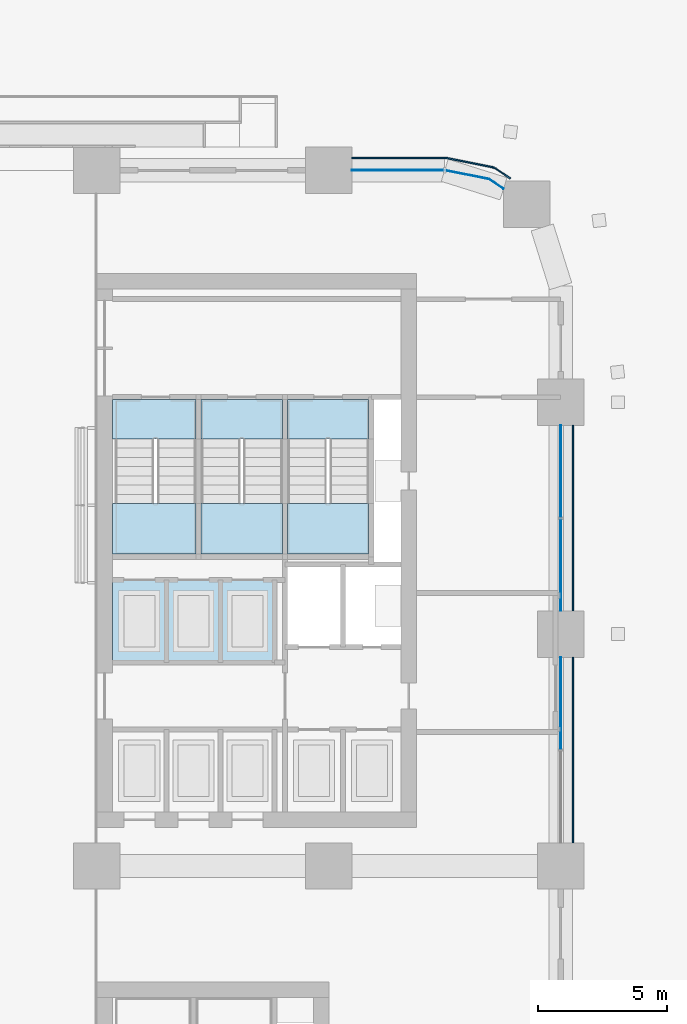
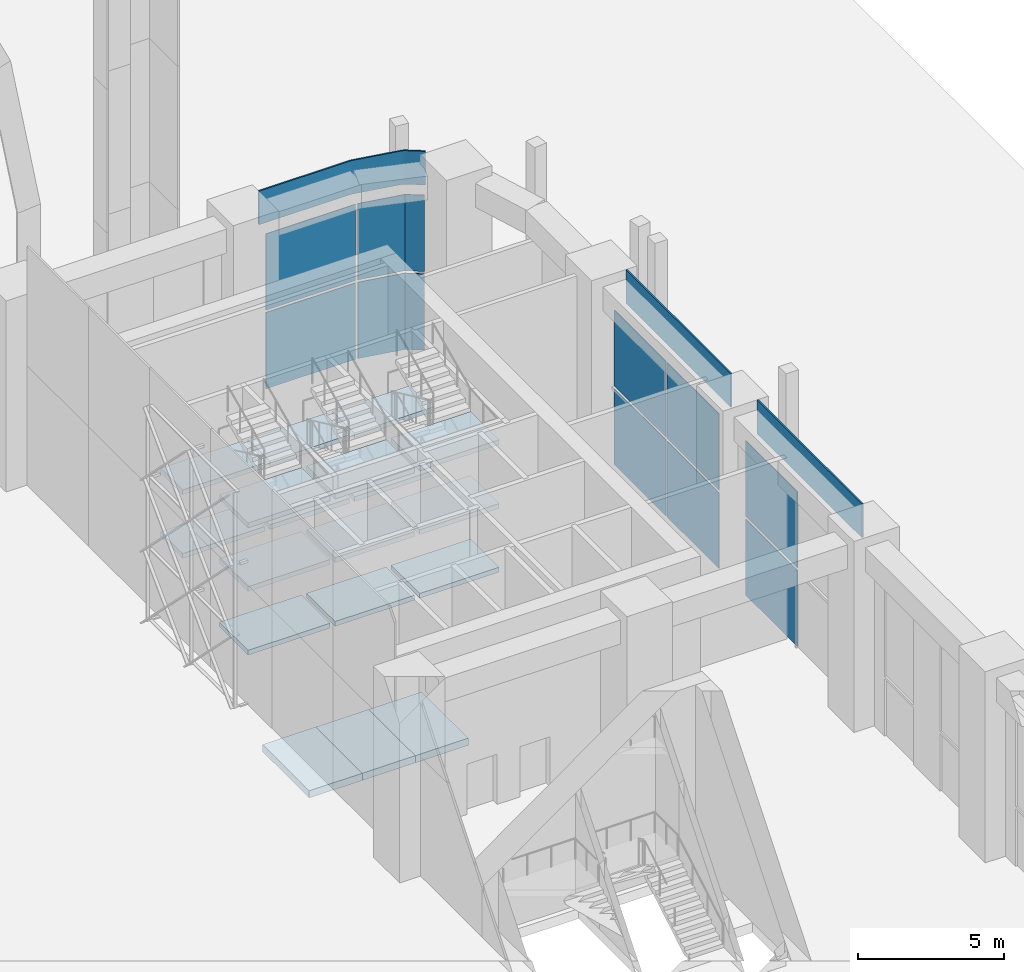
# One storey, part 26 of 64: 18 slabs, 13 plates, 6 elements without a shape of their own.
"""IFC4 building model written with IfcOpenShell, lengths in metres."""

from ifc_helpers import new_model, si_unit, direction, frame, origin, origin_2d, place, context, subcontext, project, spatial, polyline, rectangle, outline, extrude, material, layer, layer_set, type_object, element, aggregate, save


model = new_model("IFC4")

# Units and contexts
model_context = context("Model", 3, precision=1e-05, world=origin(), true_north=direction((0.0, 1.0)))
body_context = subcontext(model_context, "Body", "Model", "MODEL_VIEW")
ifc_project = project(units=[si_unit("LENGTHUNIT", "METRE"), si_unit("AREAUNIT", "SQUARE_METRE"), si_unit("VOLUMEUNIT", "CUBIC_METRE"), si_unit("PLANEANGLEUNIT", "RADIAN"), si_unit("MASSUNIT", "GRAM", prefix="KILO")], contexts=[model_context])

# Site, building, storey
site_placement = place(None, origin())
site = spatial("IfcSite", under=ifc_project, at=site_placement, CompositionType="ELEMENT")
building_placement = place(site_placement, origin())
building = spatial("IfcBuilding", under=site, at=building_placement, Name="Tessera Arch", CompositionType="ELEMENT")
storey_placement = place(building_placement, origin())
storey = spatial("IfcBuildingStorey", under=building, at=storey_placement, Name="L00", CompositionType="ELEMENT", Elevation=0.0)

# Curtain wall, plates
ifc_material_1 = material(Name="CW2 curtain wall")
curtain_wall_type_1 = type_object("IfcCurtainWallType", Name="CW2 curtain wall", PredefinedType="NOTDEFINED", material=ifc_material_1)
curtain_wall_1_placement = place(storey_placement, origin())
curtain_wall_1 = element("IfcCurtainWall", 1, at=curtain_wall_1_placement, inside=storey, type_object=curtain_wall_type_1, Name="CW2 curtain wall N54.36/0 L00", PredefinedType="NOTDEFINED")
ifc_material_2 = material(Name="Clear low-e glass", Category="glass")
ifc_layer_1 = layer(ifc_material_2, 0.028076171875)
ifc_layer_set_1 = layer_set([ifc_layer_1], Name="CW2 glass panel")
plate_type_1 = type_object("IfcPlateType", Name="CW2 glass panel", PredefinedType="CURTAIN_PANEL", material=ifc_layer_set_1)
plate_1_placement = place(storey_placement, frame((47.679931640625, 54.0, 0.0), z_axis=(0.0, 0.0, 1.0), x_axis=(-1.0, 0.0, 0.0)))
plate_1 = element("IfcPlate", 2, at=plate_1_placement, type_object=plate_type_1, Name="CW2 glass panel N54.36/0 1.1", PredefinedType="CURTAIN_PANEL", context=body_context, shape_type="SweptSolid", body=[
    extrude(rectangle(XDim=3.56005859375, YDim=0.028076171875, at=origin_2d()), origin(), (0.0, 0.0, 1.0), 3.195068359375),
])
plate_2_placement = place(storey_placement, origin())
plate_2 = element("IfcPlate", 3, at=plate_2_placement, type_object=plate_type_1, Name="CW2 curved glass panel N54.36/0 2.1", PredefinedType="CURTAIN_PANEL", context=body_context, shape_type="SweptSolid", body=[
    extrude(outline(polyline([(51.216552734375, 53.644287109375), (51.774169921875, 53.271728515625), (51.789794921875, 53.294921875), (51.2275390625, 53.670654296875), (49.5419921875, 54.005859375), (49.53662109375, 53.978515625), (51.216552734375, 53.644287109375)])), origin(), (0.0, 0.0, 1.0), 3.195068359375),
])
plate_3_placement = place(storey_placement, frame((47.679931640625, 54.0, 3.294921875), z_axis=(0.0, 0.0, 1.0), x_axis=(-1.0, 0.0, 0.0)))
plate_3 = element("IfcPlate", 4, at=plate_3_placement, type_object=plate_type_1, Name="CW2 glass panel N54.36/0 1.2", PredefinedType="CURTAIN_PANEL", context=body_context, shape_type="SweptSolid", body=[
    extrude(rectangle(XDim=3.56005859375, YDim=0.028076171875, at=origin_2d()), origin(), (0.0, 0.0, 1.0), 3.195068359375),
])
plate_4_placement = place(storey_placement, frame((0.0, 0.0, 3.294921875)))
plate_4 = element("IfcPlate", 5, at=plate_4_placement, type_object=plate_type_1, Name="CW2 curved glass panel N54.36/0 2.2", PredefinedType="CURTAIN_PANEL", context=body_context, shape_type="SweptSolid", body=[
    extrude(outline(polyline([(51.216552734375, 53.644287109375), (51.774169921875, 53.271728515625), (51.789794921875, 53.294921875), (51.2275390625, 53.670654296875), (49.5419921875, 54.005859375), (49.53662109375, 53.978515625), (51.216552734375, 53.644287109375)])), origin(), (0.0, 0.0, 1.0), 3.195068359375),
])
ifc_material_3 = material(Name="Pale anodised aluminium panel", Category="aluminium")
ifc_layer_2 = layer(ifc_material_3, 0.06005859375)
ifc_layer_set_2 = layer_set([ifc_layer_2], Name="CW2 spandrel panel")
plate_type_2 = type_object("IfcPlateType", Name="CW2 spandrel panel", PredefinedType="CURTAIN_PANEL", material=ifc_layer_set_2)
plate_5_placement = place(storey_placement, frame((0.0, 0.0, 6.590087890625)))
plate_5 = element("IfcPlate", 6, at=plate_5_placement, type_object=plate_type_2, Name="CW2 spandrel panel N54.36/0", PredefinedType="CURTAIN_PANEL", context=body_context, shape_type="SweptSolid", body=[
    extrude(outline(polyline([(51.47265625, 54.03125), (52.031982421875, 53.657470703125), (52.0654296875, 53.707275390625), (51.5048828125, 54.08203125), (51.462646484375, 54.107177734375), (51.417236328125, 54.128662109375), (51.3701171875, 54.1455078125), (51.322265625, 54.157470703125), (49.598876953125, 54.500244140625), (49.550048828125, 54.507568359375), (49.500732421875, 54.510009765625), (45.89990234375, 54.510009765625), (45.89990234375, 54.449951171875), (49.499267578125, 54.449951171875), (49.544189453125, 54.44775390625), (49.588623046875, 54.441162109375), (51.30908203125, 54.09912109375), (51.352783203125, 54.088134765625), (51.394287109375, 54.0732421875), (51.434326171875, 54.05419921875), (51.47265625, 54.03125)])), origin(), (0.0, 0.0, 1.0), 1.409912109375),
])
aggregate(curtain_wall_1, [plate_1, plate_2, plate_3, plate_4, plate_5])

ifc_material_4 = material(Name="CW6 curtain wall")
curtain_wall_type_2 = type_object("IfcCurtainWallType", Name="CW6 curtain wall", PredefinedType="NOTDEFINED", material=ifc_material_4)
curtain_wall_2_placement = place(storey_placement, origin())
curtain_wall_2 = element("IfcCurtainWall", 7, at=curtain_wall_2_placement, inside=storey, type_object=curtain_wall_type_2, Name="CW6 curtain wall E54.0/2 L00", PredefinedType="NOTDEFINED")
ifc_material_5 = material(Name="Clear low-e glass", Category="glass")
ifc_layer_3 = layer(ifc_material_5, 0.028076171875)
ifc_layer_set_3 = layer_set([ifc_layer_3], Name="CW6 glass panel")
plate_type_3 = type_object("IfcPlateType", Name="CW6 glass panel", PredefinedType="CURTAIN_PANEL", material=ifc_layer_set_3)
plate_6_placement = place(storey_placement, frame((54.0, 33.3173828125, 0.0), z_axis=(0.0, 0.0, 1.0), x_axis=(0.0, 1.0, 0.0)))
plate_6 = element("IfcPlate", 8, at=plate_6_placement, type_object=plate_type_3, Name="CW6 glass panel E54.0/2 1.2.1", PredefinedType="CURTAIN_PANEL", context=body_context, shape_type="SweptSolid", body=[
    extrude(rectangle(XDim=3.56494140625, YDim=0.028076171875, at=origin_2d()), origin(), (0.0, 0.0, 1.0), 3.175048828125),
])
plate_7_placement = place(storey_placement, frame((54.0, 33.3173828125, 3.294921875), z_axis=(0.0, 0.0, 1.0), x_axis=(0.0, 1.0, 0.0)))
plate_7 = element("IfcPlate", 9, at=plate_7_placement, type_object=plate_type_3, Name="CW6 glass panel E54.0/2 1.2.2", PredefinedType="CURTAIN_PANEL", context=body_context, shape_type="SweptSolid", body=[
    extrude(rectangle(XDim=3.56494140625, YDim=0.028076171875, at=origin_2d()), origin(), (0.0, 0.0, 1.0), 3.175048828125),
])

curtain_wall_3_placement = place(storey_placement, origin())
curtain_wall_3 = element("IfcCurtainWall", 10, at=curtain_wall_3_placement, inside=storey, type_object=curtain_wall_type_2, Name="CW6 curtain wall E54.0/3 L00", PredefinedType="NOTDEFINED")
plate_8_placement = place(storey_placement, frame((54.0, 38.6826171875, 0.0), z_axis=(0.0, 0.0, 1.0), x_axis=(0.0, 1.0, 0.0)))
plate_8 = element("IfcPlate", 11, at=plate_8_placement, type_object=plate_type_3, Name="CW6 glass panel E54.0/3 1.1.1", PredefinedType="CURTAIN_PANEL", context=body_context, shape_type="SweptSolid", body=[
    extrude(rectangle(XDim=3.56494140625, YDim=0.028076171875, at=origin_2d()), origin(), (0.0, 0.0, 1.0), 3.175048828125),
])
plate_9_placement = place(storey_placement, frame((54.0, 38.6826171875, 3.294921875), z_axis=(0.0, 0.0, 1.0), x_axis=(0.0, 1.0, 0.0)))
plate_9 = element("IfcPlate", 12, at=plate_9_placement, type_object=plate_type_3, Name="CW6 glass panel E54.0/3 1.1.2", PredefinedType="CURTAIN_PANEL", context=body_context, shape_type="SweptSolid", body=[
    extrude(rectangle(XDim=3.56494140625, YDim=0.028076171875, at=origin_2d()), origin(), (0.0, 0.0, 1.0), 3.175048828125),
])
plate_10_placement = place(storey_placement, frame((54.0, 42.3173828125, 0.0), z_axis=(0.0, 0.0, 1.0), x_axis=(0.0, 1.0, 0.0)))
plate_10 = element("IfcPlate", 13, at=plate_10_placement, type_object=plate_type_3, Name="CW6 glass panel E54.0/3 1.2.1", PredefinedType="CURTAIN_PANEL", context=body_context, shape_type="SweptSolid", body=[
    extrude(rectangle(XDim=3.56494140625, YDim=0.028076171875, at=origin_2d()), origin(), (0.0, 0.0, 1.0), 3.175048828125),
])
plate_11_placement = place(storey_placement, frame((54.0, 42.3173828125, 3.294921875), z_axis=(0.0, 0.0, 1.0), x_axis=(0.0, 1.0, 0.0)))
plate_11 = element("IfcPlate", 14, at=plate_11_placement, type_object=plate_type_3, Name="CW6 glass panel E54.0/3 1.2.2", PredefinedType="CURTAIN_PANEL", context=body_context, shape_type="SweptSolid", body=[
    extrude(rectangle(XDim=3.56494140625, YDim=0.028076171875, at=origin_2d()), origin(), (0.0, 0.0, 1.0), 3.175048828125),
])

# Plate
ifc_material_6 = material(Name="Pale anodised aluminium panel", Category="aluminium")
ifc_layer_4 = layer(ifc_material_6, 0.06005859375)
ifc_layer_set_4 = layer_set([ifc_layer_4], Name="CW6 spandrel panel")
plate_type_4 = type_object("IfcPlateType", Name="CW6 spandrel panel", PredefinedType="CURTAIN_PANEL", material=ifc_layer_set_4)
plate_12_placement = place(storey_placement, frame((54.47998046875, 31.5, 6.58984375), z_axis=(0.0, 0.0, 1.0), x_axis=(0.0, 1.0, 0.0)))
plate_12 = element("IfcPlate", 15, at=plate_12_placement, type_object=plate_type_4, Name="CW6 spandrel panel E54.0/2", PredefinedType="CURTAIN_PANEL", context=body_context, shape_type="SweptSolid", body=[
    extrude(rectangle(XDim=7.199951171875, YDim=0.06005859375, at=origin_2d()), origin(), (0.0, 0.0, 1.0), 1.409912109375),
])

aggregate(curtain_wall_2, [plate_6, plate_7, plate_12])

plate_13_placement = place(storey_placement, frame((54.47998046875, 40.5, 6.58984375), z_axis=(0.0, 0.0, 1.0), x_axis=(0.0, 1.0, 0.0)))
plate_13 = element("IfcPlate", 16, at=plate_13_placement, type_object=plate_type_4, Name="CW6 spandrel panel E54.0/3", PredefinedType="CURTAIN_PANEL", context=body_context, shape_type="SweptSolid", body=[
    extrude(rectangle(XDim=7.199951171875, YDim=0.06005859375, at=origin_2d()), origin(), (0.0, 0.0, 1.0), 1.409912109375),
])

aggregate(curtain_wall_3, [plate_8, plate_9, plate_10, plate_11, plate_13])

# Slabs
ifc_material_7 = material(Name="Concrete C40/50", Category="concrete")
ifc_layer_5 = layer(ifc_material_7, 0.300048828125)
ifc_layer_set_5 = layer_set([ifc_layer_5], Name="Pit floor 300")
slab_type_1 = type_object("IfcSlabType", Name="Pit floor 300", PredefinedType="BASESLAB", material=ifc_layer_set_5)
slab_1_placement = place(storey_placement, frame((0.0, 0.0, -2.300048828125)))
element("IfcSlab", 17, at=slab_1_placement, inside=storey, type_object=slab_type_1, Name="HR4 lift pit floor", PredefinedType="BASESLAB", context=body_context, shape_type="SweptSolid", body=[
    extrude(outline(polyline([(36.60009765625, 34.89990234375), (38.699951171875, 34.89990234375), (38.699951171875, 38.10009765625), (36.60009765625, 38.10009765625), (36.60009765625, 34.89990234375)])), origin(), (0.0, 0.0, 1.0), 0.300048828125),
])
slab_2_placement = place(storey_placement, frame((0.0, 0.0, -2.300048828125)))
element("IfcSlab", 18, at=slab_2_placement, inside=storey, type_object=slab_type_1, Name="HR5 lift pit floor", PredefinedType="BASESLAB", context=body_context, shape_type="SweptSolid", body=[
    extrude(outline(polyline([(38.699951171875, 34.89990234375), (40.800048828125, 34.89990234375), (40.800048828125, 38.10009765625), (38.699951171875, 38.10009765625), (38.699951171875, 34.89990234375)])), origin(), (0.0, 0.0, 1.0), 0.300048828125),
])
slab_3_placement = place(storey_placement, frame((0.0, 0.0, -2.300048828125)))
element("IfcSlab", 19, at=slab_3_placement, inside=storey, type_object=slab_type_1, Name="HR6 lift pit floor", PredefinedType="BASESLAB", context=body_context, shape_type="SweptSolid", body=[
    extrude(outline(polyline([(40.800048828125, 34.89990234375), (42.89990234375, 34.89990234375), (42.89990234375, 38.10009765625), (40.800048828125, 38.10009765625), (40.800048828125, 34.89990234375)])), origin(), (0.0, 0.0, 1.0), 0.300048828125),
])

# Stair, slabs
ifc_material_8 = material(Name="Concrete C40/50", Category="concrete")
stair_type = type_object("IfcStairType", Name="Dogleg stair 1520", PredefinedType="HALF_TURN_STAIR", material=ifc_material_8)
stair_1_placement = place(storey_placement, origin())
stair_1 = element("IfcStair", 20, at=stair_1_placement, inside=storey, type_object=stair_type, Name="L00 S1a", PredefinedType="HALF_TURN_STAIR")
ifc_material_9 = material(Name="Concrete C40/50", Category="concrete")
ifc_layer_6 = layer(ifc_material_9, 0.300048828125)
ifc_layer_set_6 = layer_set([ifc_layer_6], Name="Stair landing 300")
slab_type_2 = type_object("IfcSlabType", Name="Stair landing 300", PredefinedType="LANDING", material=ifc_layer_set_6)
slab_4_placement = place(storey_placement, frame((0.0, 0.0, 1.13330078125)))
slab_4 = element("IfcSlab", 21, at=slab_4_placement, type_object=slab_type_2, Name="S1a landing 1", PredefinedType="LANDING", context=body_context, shape_type="SweptSolid", body=[
    extrude(outline(polyline([(36.60009765625, 41.06005859375), (36.60009765625, 39.10009765625), (39.85009765625, 39.10009765625), (39.85009765625, 41.06005859375), (36.60009765625, 41.06005859375)])), origin(), (0.0, 0.0, 1.0), 0.199951171875),
])
slab_5_placement = place(storey_placement, frame((0.0, 0.0, 2.466552734375)))
slab_5 = element("IfcSlab", 22, at=slab_5_placement, type_object=slab_type_2, Name="S1a landing 2", PredefinedType="LANDING", context=body_context, shape_type="SweptSolid", body=[
    extrude(outline(polyline([(36.60009765625, 45.10009765625), (36.60009765625, 43.580078125), (39.85009765625, 43.580078125), (39.85009765625, 45.10009765625), (36.60009765625, 45.10009765625)])), origin(), (0.0, 0.0, 1.0), 0.2001953125),
])
slab_6_placement = place(storey_placement, frame((0.0, 0.0, 3.800048828125)))
slab_6 = element("IfcSlab", 23, at=slab_6_placement, type_object=slab_type_2, Name="S1a landing 3", PredefinedType="LANDING", context=body_context, shape_type="SweptSolid", body=[
    extrude(outline(polyline([(36.60009765625, 41.06005859375), (36.60009765625, 39.10009765625), (39.85009765625, 39.10009765625), (39.85009765625, 41.06005859375), (36.60009765625, 41.06005859375)])), origin(), (0.0, 0.0, 1.0), 0.199951171875),
])
slab_7_placement = place(storey_placement, frame((0.0, 0.0, 5.13330078125)))
slab_7 = element("IfcSlab", 24, at=slab_7_placement, type_object=slab_type_2, Name="S1a landing 4", PredefinedType="LANDING", context=body_context, shape_type="SweptSolid", body=[
    extrude(outline(polyline([(36.60009765625, 45.10009765625), (36.60009765625, 43.580078125), (39.85009765625, 43.580078125), (39.85009765625, 45.10009765625), (36.60009765625, 45.10009765625)])), origin(), (0.0, 0.0, 1.0), 0.199951171875),
])
slab_8_placement = place(storey_placement, frame((0.0, 0.0, 6.466552734375)))
slab_8 = element("IfcSlab", 25, at=slab_8_placement, type_object=slab_type_2, Name="S1a landing 5", PredefinedType="LANDING", context=body_context, shape_type="SweptSolid", body=[
    extrude(outline(polyline([(36.60009765625, 41.06005859375), (36.60009765625, 39.10009765625), (39.85009765625, 39.10009765625), (39.85009765625, 41.06005859375), (36.60009765625, 41.06005859375)])), origin(), (0.0, 0.0, 1.0), 0.2001953125),
])
aggregate(stair_1, [slab_4, slab_5, slab_6, slab_7, slab_8])

stair_2_placement = place(storey_placement, origin())
stair_2 = element("IfcStair", 26, at=stair_2_placement, inside=storey, type_object=stair_type, Name="L00 S1b", PredefinedType="HALF_TURN_STAIR")
slab_9_placement = place(storey_placement, frame((0.0, 0.0, 1.13330078125)))
slab_9 = element("IfcSlab", 27, at=slab_9_placement, type_object=slab_type_2, Name="S1b landing 1", PredefinedType="LANDING", context=body_context, shape_type="SweptSolid", body=[
    extrude(outline(polyline([(40.050048828125, 41.06005859375), (40.050048828125, 39.10009765625), (43.199951171875, 39.10009765625), (43.199951171875, 41.06005859375), (40.050048828125, 41.06005859375)])), origin(), (0.0, 0.0, 1.0), 0.199951171875),
])
slab_10_placement = place(storey_placement, frame((0.0, 0.0, 2.466552734375)))
slab_10 = element("IfcSlab", 28, at=slab_10_placement, type_object=slab_type_2, Name="S1b landing 2", PredefinedType="LANDING", context=body_context, shape_type="SweptSolid", body=[
    extrude(outline(polyline([(40.050048828125, 45.10009765625), (40.050048828125, 43.580078125), (43.199951171875, 43.580078125), (43.199951171875, 45.10009765625), (40.050048828125, 45.10009765625)])), origin(), (0.0, 0.0, 1.0), 0.2001953125),
])
slab_11_placement = place(storey_placement, frame((0.0, 0.0, 3.800048828125)))
slab_11 = element("IfcSlab", 29, at=slab_11_placement, type_object=slab_type_2, Name="S1b landing 3", PredefinedType="LANDING", context=body_context, shape_type="SweptSolid", body=[
    extrude(outline(polyline([(40.050048828125, 41.06005859375), (40.050048828125, 39.10009765625), (43.199951171875, 39.10009765625), (43.199951171875, 41.06005859375), (40.050048828125, 41.06005859375)])), origin(), (0.0, 0.0, 1.0), 0.199951171875),
])
slab_12_placement = place(storey_placement, frame((0.0, 0.0, 5.13330078125)))
slab_12 = element("IfcSlab", 30, at=slab_12_placement, type_object=slab_type_2, Name="S1b landing 4", PredefinedType="LANDING", context=body_context, shape_type="SweptSolid", body=[
    extrude(outline(polyline([(40.050048828125, 45.10009765625), (40.050048828125, 43.580078125), (43.199951171875, 43.580078125), (43.199951171875, 45.10009765625), (40.050048828125, 45.10009765625)])), origin(), (0.0, 0.0, 1.0), 0.199951171875),
])
slab_13_placement = place(storey_placement, frame((0.0, 0.0, 6.466552734375)))
slab_13 = element("IfcSlab", 31, at=slab_13_placement, type_object=slab_type_2, Name="S1b landing 5", PredefinedType="LANDING", context=body_context, shape_type="SweptSolid", body=[
    extrude(outline(polyline([(40.050048828125, 41.06005859375), (40.050048828125, 39.10009765625), (43.199951171875, 39.10009765625), (43.199951171875, 41.06005859375), (40.050048828125, 41.06005859375)])), origin(), (0.0, 0.0, 1.0), 0.2001953125),
])
aggregate(stair_2, [slab_9, slab_10, slab_11, slab_12, slab_13])

stair_3_placement = place(storey_placement, origin())
stair_3 = element("IfcStair", 32, at=stair_3_placement, inside=storey, type_object=stair_type, Name="L00 S1c", PredefinedType="HALF_TURN_STAIR")
slab_14_placement = place(storey_placement, frame((0.0, 0.0, 1.13330078125)))
slab_14 = element("IfcSlab", 33, at=slab_14_placement, type_object=slab_type_2, Name="S1c landing 1", PredefinedType="LANDING", context=body_context, shape_type="SweptSolid", body=[
    extrude(outline(polyline([(43.39990234375, 41.06005859375), (43.39990234375, 39.10009765625), (46.550048828125, 39.10009765625), (46.550048828125, 41.06005859375), (43.39990234375, 41.06005859375)])), origin(), (0.0, 0.0, 1.0), 0.199951171875),
])
slab_15_placement = place(storey_placement, frame((0.0, 0.0, 2.466552734375)))
slab_15 = element("IfcSlab", 34, at=slab_15_placement, type_object=slab_type_2, Name="S1c landing 2", PredefinedType="LANDING", context=body_context, shape_type="SweptSolid", body=[
    extrude(outline(polyline([(43.39990234375, 45.10009765625), (43.39990234375, 43.580078125), (46.550048828125, 43.580078125), (46.550048828125, 45.10009765625), (43.39990234375, 45.10009765625)])), origin(), (0.0, 0.0, 1.0), 0.2001953125),
])
slab_16_placement = place(storey_placement, frame((0.0, 0.0, 3.800048828125)))
slab_16 = element("IfcSlab", 35, at=slab_16_placement, type_object=slab_type_2, Name="S1c landing 3", PredefinedType="LANDING", context=body_context, shape_type="SweptSolid", body=[
    extrude(outline(polyline([(43.39990234375, 41.06005859375), (43.39990234375, 39.10009765625), (46.550048828125, 39.10009765625), (46.550048828125, 41.06005859375), (43.39990234375, 41.06005859375)])), origin(), (0.0, 0.0, 1.0), 0.199951171875),
])
slab_17_placement = place(storey_placement, frame((0.0, 0.0, 5.13330078125)))
slab_17 = element("IfcSlab", 36, at=slab_17_placement, type_object=slab_type_2, Name="S1c landing 4", PredefinedType="LANDING", context=body_context, shape_type="SweptSolid", body=[
    extrude(outline(polyline([(43.39990234375, 45.10009765625), (43.39990234375, 43.580078125), (46.550048828125, 43.580078125), (46.550048828125, 45.10009765625), (43.39990234375, 45.10009765625)])), origin(), (0.0, 0.0, 1.0), 0.199951171875),
])
slab_18_placement = place(storey_placement, frame((0.0, 0.0, 6.466552734375)))
slab_18 = element("IfcSlab", 37, at=slab_18_placement, type_object=slab_type_2, Name="S1c landing 5", PredefinedType="LANDING", context=body_context, shape_type="SweptSolid", body=[
    extrude(outline(polyline([(43.39990234375, 41.06005859375), (43.39990234375, 39.10009765625), (46.550048828125, 39.10009765625), (46.550048828125, 41.06005859375), (43.39990234375, 41.06005859375)])), origin(), (0.0, 0.0, 1.0), 0.2001953125),
])
aggregate(stair_3, [slab_14, slab_15, slab_16, slab_17, slab_18])

save(model, "model.ifc")
